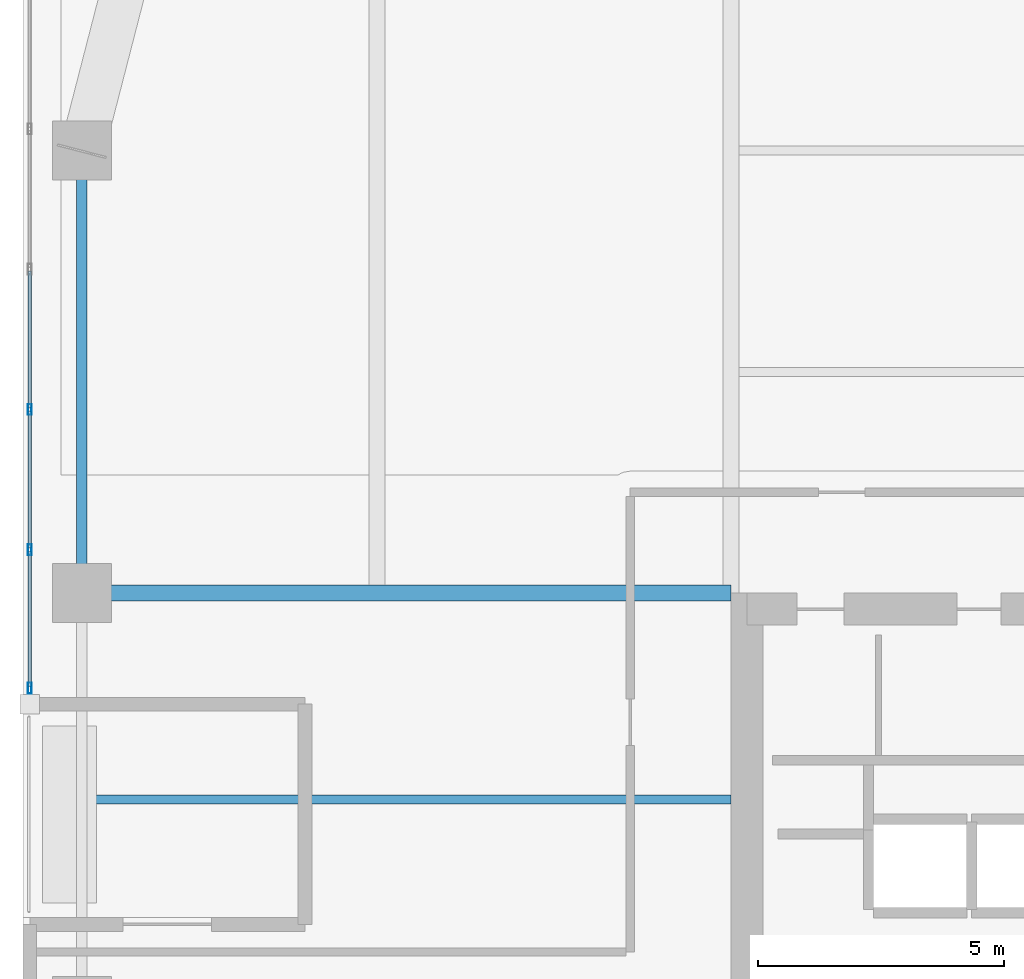
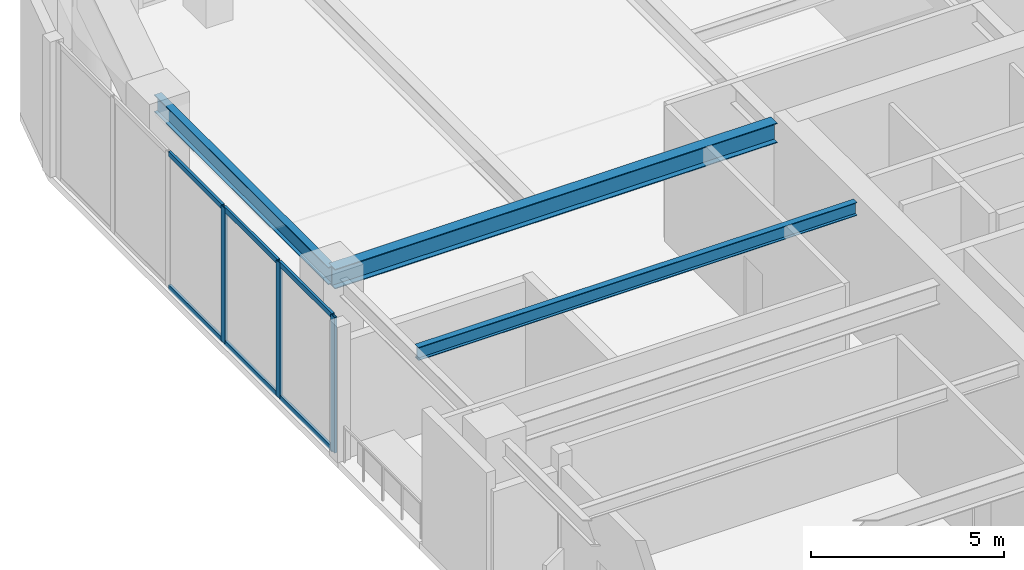
# One storey, part 2 of 21: 9 members, 3 beams, 1 element without a shape of its own.
"""IFC4 building model written with IfcOpenShell, lengths in metres."""

from ifc_helpers import new_model, si_unit, direction, frame, origin, origin_2d, place, context, subcontext, project, spatial, hollow_rectangle, i_section, extrude, material, layer, layer_set, material_profile, profile_set, type_object, element, aggregate, save


model = new_model("IFC4")

# Units and contexts
model_context = context("Model", 3, precision=1e-05, world=origin(), true_north=direction((0.0, 1.0)))
body_context = subcontext(model_context, "Body", "Model", "MODEL_VIEW")
ifc_project = project(units=[si_unit("LENGTHUNIT", "METRE"), si_unit("AREAUNIT", "SQUARE_METRE"), si_unit("VOLUMEUNIT", "CUBIC_METRE"), si_unit("PLANEANGLEUNIT", "RADIAN"), si_unit("MASSUNIT", "GRAM", prefix="KILO")], contexts=[model_context])

# Site, building, storey
site_placement = place(None, origin())
site = spatial("IfcSite", under=ifc_project, at=site_placement, CompositionType="ELEMENT")
building_placement = place(site_placement, origin())
building = spatial("IfcBuilding", under=site, at=building_placement, Name="Kiyonajd Concourse Tower", CompositionType="ELEMENT")
storey_placement = place(building_placement, frame((0.0, 0.0, 181.800048828125)))
storey = spatial("IfcBuildingStorey", under=building, at=storey_placement, Name="L46", CompositionType="ELEMENT", Elevation=181.800048828125)

# Beams
ifc_material_1 = material(Name="Steel ASTM A992 Grade 50", Category="steel")
ifc_material_profile_1 = material_profile(ifc_material_1, i_section(OverallWidth=0.180908203125, OverallDepth=0.4169921875, WebThickness=0.010986328125, FlangeThickness=0.018310546875, at=origin_2d()), Name="W410X85")
ifc_profile_set_1 = profile_set([ifc_material_profile_1], Name="Steel ASTM A992 Grade 50")
beam_type_1 = type_object("IfcBeamType", Name="BM-JST-410", PredefinedType="JOIST", material=ifc_profile_set_1)
beam_1_placement = place(storey_placement, frame((19.306884765625, 40.199951171875, 4.071533203125), z_axis=(1.0, 0.0, 0.0), x_axis=(0.0, 1.0, 0.0)))
element("IfcBeam", 1, at=beam_1_placement, inside=storey, type_object=beam_type_1, Name="L46 West Secondary Floor Joist", PredefinedType="JOIST", context=body_context, shape_type="SweptSolid", body=[
    extrude(i_section(OverallWidth=0.180908203125, OverallDepth=0.4169921875, WebThickness=0.010986328125, FlangeThickness=0.018310546875, at=origin_2d()), origin(), (0.0, 0.0, 1.0), 13.093017578125),
])
ifc_material_profile_2 = material_profile(ifc_material_1, i_section(OverallWidth=0.214111328125, OverallDepth=0.549072265625, WebThickness=0.0146484375, FlangeThickness=0.023681640625, at=origin_2d()), Name="W530X138")
ifc_profile_set_2 = profile_set([ifc_material_profile_2], Name="Steel ASTM A992 Grade 50")
beam_type_2 = type_object("IfcBeamType", Name="BM-SPAN-530A", PredefinedType="SPANDREL", material=ifc_profile_set_2)
beam_2_placement = place(storey_placement, frame((19.199951171875, 53.39990234375, 4.00537109375), z_axis=(0.0, -1.0, 0.0), x_axis=(1.0, 0.0, 0.0)))
element("IfcBeam", 2, at=beam_2_placement, inside=storey, type_object=beam_type_2, Name="L46 Perimeter Bundled Tube Spandrel", PredefinedType="SPANDREL", context=body_context, shape_type="SweptSolid", body=[
    extrude(i_section(OverallWidth=0.214111328125, OverallDepth=0.549072265625, WebThickness=0.0146484375, FlangeThickness=0.023681640625, at=origin_2d()), origin(), (0.0, 0.0, 1.0), 9.0),
])
ifc_material_profile_3 = material_profile(ifc_material_1, i_section(OverallWidth=0.326904296875, OverallDepth=0.6220703125, WebThickness=0.015380859375, FlangeThickness=0.0244140625, at=origin_2d()), Name="W610X195")
ifc_profile_set_3 = profile_set([ifc_material_profile_3], Name="Steel ASTM A992 Grade 50")
beam_type_3 = type_object("IfcBeamType", Name="BM-TWR-610A", PredefinedType="BEAM", material=ifc_profile_set_3)
beam_3_placement = place(storey_placement, frame((19.199951171875, 44.39990234375, 3.968994140625), z_axis=(1.0, 0.0, 0.0), x_axis=(0.0, 1.0, 0.0)))
element("IfcBeam", 3, at=beam_3_placement, inside=storey, type_object=beam_type_3, Name="L46 West Lease Girder", PredefinedType="BEAM", context=body_context, shape_type="SweptSolid", body=[
    extrude(i_section(OverallWidth=0.326904296875, OverallDepth=0.6220703125, WebThickness=0.015380859375, FlangeThickness=0.0244140625, at=origin_2d()), origin(), (0.0, 0.0, 1.0), 13.199951171875),
])

# Curtain wall, members
ifc_material_2 = material(Name="Thermally Broken Anodised Aluminium", Category="aluminium")
ifc_layer = layer(ifc_material_2, 0.179931640625)
ifc_layer_set = layer_set([ifc_layer], Name="Thermally Broken Anodised Aluminium")
curtain_wall_type = type_object("IfcCurtainWallType", Name="CW-SYS-05", PredefinedType="NOTDEFINED", material=ifc_layer_set)
curtain_wall_placement = place(storey_placement, origin())
curtain_wall = element("IfcCurtainWall", 4, at=curtain_wall_placement, inside=storey, type_object=curtain_wall_type, Name="L46 Unitised Curtain Wall CW5", PredefinedType="NOTDEFINED")
ifc_material_profile_4 = material_profile(ifc_material_2, hollow_rectangle(XDim=0.074951171875, YDim=0.219970703125, WallThickness=0.0048828125, at=origin_2d()), Name="MULL-75x220")
ifc_profile_set_4 = profile_set([ifc_material_profile_4], Name="Thermally Broken Anodised Aluminium")
member_type_1 = type_object("IfcMemberType", Name="MB-CW-MULL2", PredefinedType="MULLION", material=ifc_profile_set_4)
member_1_placement = place(storey_placement, frame((18.139892578125, 42.467529296875, 0.0), z_axis=(0.0, 0.0, 1.0), x_axis=(-1.0, 0.0, 0.0)))
member_1 = element("IfcMember", 5, at=member_1_placement, type_object=member_type_1, Name="CW5 mullion 1", PredefinedType="MULLION", context=body_context, shape_type="SweptSolid", body=[
    extrude(hollow_rectangle(XDim=0.074951171875, YDim=0.219970703125, WallThickness=0.0048828125, at=origin_2d()), origin(), (0.0, 0.0, 1.0), 4.280029296875),
])
member_2_placement = place(storey_placement, frame((18.139892578125, 45.2822265625, 0.0), z_axis=(0.0, 0.0, 1.0), x_axis=(-1.0, 0.0, 0.0)))
member_2 = element("IfcMember", 6, at=member_2_placement, type_object=member_type_1, Name="CW5 mullion 2", PredefinedType="MULLION", context=body_context, shape_type="SweptSolid", body=[
    extrude(hollow_rectangle(XDim=0.074951171875, YDim=0.219970703125, WallThickness=0.0048828125, at=origin_2d()), origin(), (0.0, 0.0, 1.0), 4.280029296875),
])
member_3_placement = place(storey_placement, frame((18.139892578125, 48.134521484375, 0.0), z_axis=(0.0, 0.0, 1.0), x_axis=(-1.0, 0.0, 0.0)))
member_3 = element("IfcMember", 7, at=member_3_placement, type_object=member_type_1, Name="CW5 mullion 3", PredefinedType="MULLION", context=body_context, shape_type="SweptSolid", body=[
    extrude(hollow_rectangle(XDim=0.074951171875, YDim=0.219970703125, WallThickness=0.0048828125, at=origin_2d()), origin(), (0.0, 0.0, 1.0), 4.280029296875),
])
ifc_material_profile_5 = material_profile(ifc_material_2, hollow_rectangle(XDim=0.074951171875, YDim=0.159912109375, WallThickness=0.0048828125, at=origin_2d()), Name="TRAN-75x160")
ifc_profile_set_5 = profile_set([ifc_material_profile_5], Name="Thermally Broken Anodised Aluminium")
member_type_2 = type_object("IfcMemberType", Name="MB-CW-TRAN2", PredefinedType="USERDEFINED", material=ifc_profile_set_5)
member_4_placement = place(storey_placement, frame((18.139892578125, 42.5048828125, 0.037353515625), z_axis=(0.0, 1.0, 0.0), x_axis=(-1.0, 0.0, 0.0)))
member_4 = element("IfcMember", 8, at=member_4_placement, type_object=member_type_2, Name="CW5 transom 1.1", ObjectType="TRANSOM", PredefinedType="USERDEFINED", context=body_context, shape_type="SweptSolid", body=[
    extrude(hollow_rectangle(XDim=0.074951171875, YDim=0.159912109375, WallThickness=0.0048828125, at=origin_2d()), origin(), (0.0, 0.0, 1.0), 2.739990234375),
])
member_5_placement = place(storey_placement, frame((18.139892578125, 42.5048828125, 4.242431640625), z_axis=(0.0, 1.0, 0.0), x_axis=(-1.0, 0.0, 0.0)))
member_5 = element("IfcMember", 9, at=member_5_placement, type_object=member_type_2, Name="CW5 transom 1.2", ObjectType="TRANSOM", PredefinedType="USERDEFINED", context=body_context, shape_type="SweptSolid", body=[
    extrude(hollow_rectangle(XDim=0.074951171875, YDim=0.159912109375, WallThickness=0.0048828125, at=origin_2d()), origin(), (0.0, 0.0, 1.0), 2.739990234375),
])
member_6_placement = place(storey_placement, frame((18.139892578125, 45.31982421875, 0.037353515625), z_axis=(0.0, 1.0, 0.0), x_axis=(-1.0, 0.0, 0.0)))
member_6 = element("IfcMember", 10, at=member_6_placement, type_object=member_type_2, Name="CW5 transom 2.1", ObjectType="TRANSOM", PredefinedType="USERDEFINED", context=body_context, shape_type="SweptSolid", body=[
    extrude(hollow_rectangle(XDim=0.074951171875, YDim=0.159912109375, WallThickness=0.0048828125, at=origin_2d()), origin(), (0.0, 0.0, 1.0), 2.77734375),
])
member_7_placement = place(storey_placement, frame((18.139892578125, 45.31982421875, 4.242431640625), z_axis=(0.0, 1.0, 0.0), x_axis=(-1.0, 0.0, 0.0)))
member_7 = element("IfcMember", 11, at=member_7_placement, type_object=member_type_2, Name="CW5 transom 2.2", ObjectType="TRANSOM", PredefinedType="USERDEFINED", context=body_context, shape_type="SweptSolid", body=[
    extrude(hollow_rectangle(XDim=0.074951171875, YDim=0.159912109375, WallThickness=0.0048828125, at=origin_2d()), origin(), (0.0, 0.0, 1.0), 2.77734375),
])
member_8_placement = place(storey_placement, frame((18.139892578125, 48.172119140625, 0.037353515625), z_axis=(0.0, 1.0, 0.0), x_axis=(-1.0, 0.0, 0.0)))
member_8 = element("IfcMember", 12, at=member_8_placement, type_object=member_type_2, Name="CW5 transom 3.1", ObjectType="TRANSOM", PredefinedType="USERDEFINED", context=body_context, shape_type="SweptSolid", body=[
    extrude(hollow_rectangle(XDim=0.074951171875, YDim=0.159912109375, WallThickness=0.0048828125, at=origin_2d()), origin(), (0.0, 0.0, 1.0), 2.77734375),
])
member_9_placement = place(storey_placement, frame((18.139892578125, 48.172119140625, 4.242431640625), z_axis=(0.0, 1.0, 0.0), x_axis=(-1.0, 0.0, 0.0)))
member_9 = element("IfcMember", 13, at=member_9_placement, type_object=member_type_2, Name="CW5 transom 3.2", ObjectType="TRANSOM", PredefinedType="USERDEFINED", context=body_context, shape_type="SweptSolid", body=[
    extrude(hollow_rectangle(XDim=0.074951171875, YDim=0.159912109375, WallThickness=0.0048828125, at=origin_2d()), origin(), (0.0, 0.0, 1.0), 2.77734375),
])
aggregate(curtain_wall, [member_1, member_2, member_3, member_4, member_5, member_6, member_7, member_8, member_9])

save(model, "model.ifc")
